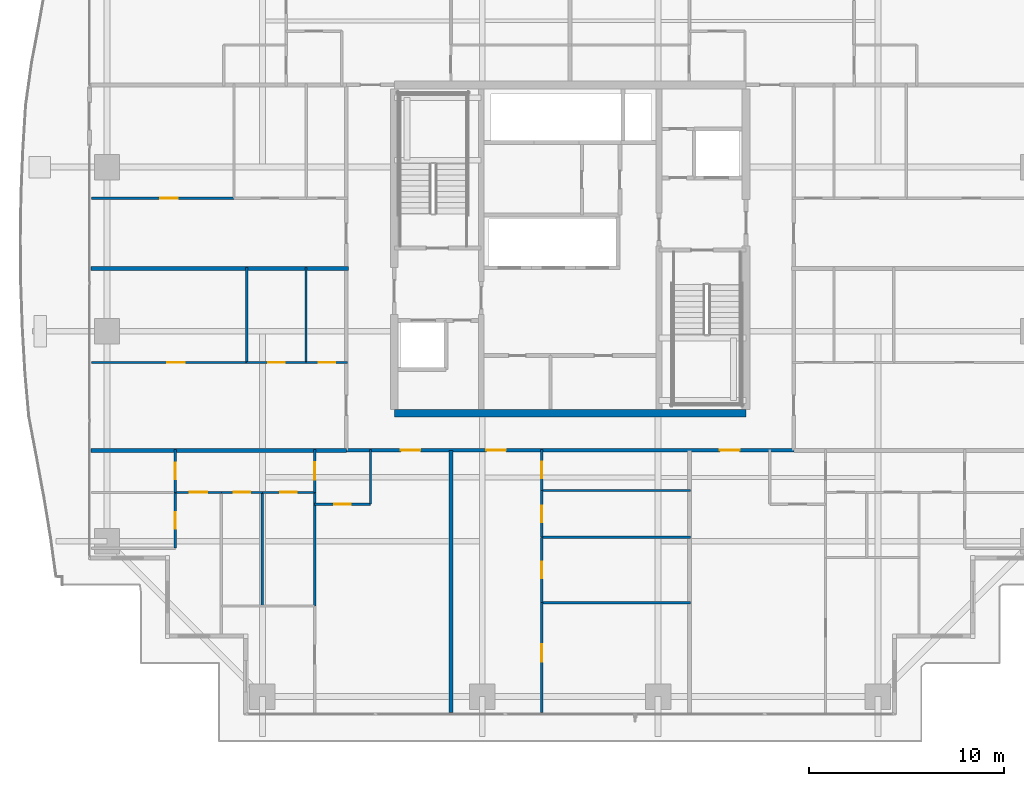
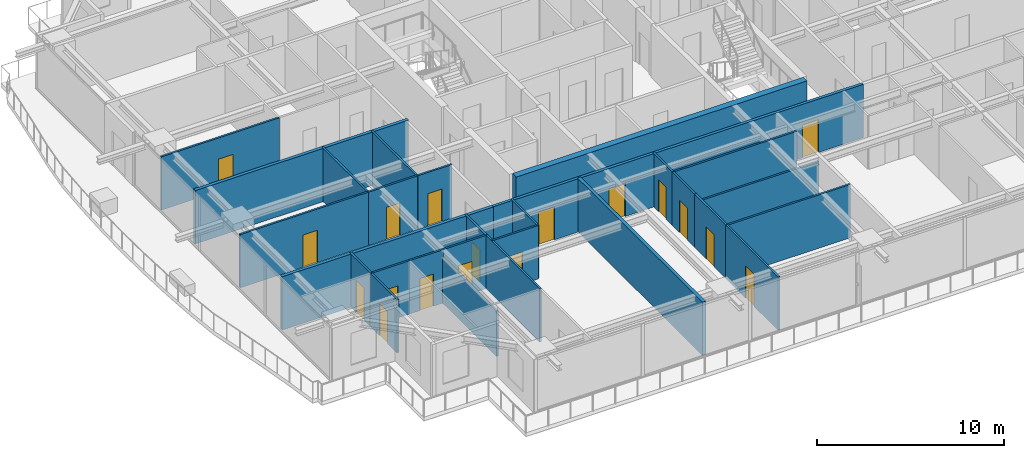
# One storey, part 26 of 39: 28 walls, 18 doors, 18 openings.
"""IFC4 building model written with IfcOpenShell, lengths in metres."""

from ifc_helpers import new_model, si_unit, direction, frame, frame_2d, origin, place, context, subcontext, project, spatial, rectangle, extrude, source, transform, mapped, material, layer, layer_set, type_object, element, fill, save


model = new_model("IFC4")

# Units and contexts
model_context = context("Model", 3, precision=1e-05, world=origin(), true_north=direction((0.0, 1.0)))
body_context = subcontext(model_context, "Body", "Model", "MODEL_VIEW")
ifc_project = project(units=[si_unit("LENGTHUNIT", "METRE"), si_unit("AREAUNIT", "SQUARE_METRE"), si_unit("VOLUMEUNIT", "CUBIC_METRE"), si_unit("PLANEANGLEUNIT", "RADIAN"), si_unit("MASSUNIT", "GRAM", prefix="KILO")], contexts=[model_context])

# Site, building, storey
site_placement = place(None, origin())
site = spatial("IfcSite", under=ifc_project, at=site_placement, CompositionType="ELEMENT")
building_placement = place(site_placement, origin())
building = spatial("IfcBuilding", under=site, at=building_placement, Name="Serunith Strait Residences", CompositionType="ELEMENT")
storey_placement = place(building_placement, frame((0.0, 0.0, 123.89990234375)))
storey = spatial("IfcBuildingStorey", under=building, at=storey_placement, Name="L30", CompositionType="ELEMENT", Elevation=123.89990234375)

# Wall, openings, doors
ifc_material_1 = material(Name="Fire-rated acoustic gypsum partition")
ifc_layer_1 = layer(ifc_material_1, 0.179931640625, Name="Fire-rated acoustic gypsum partition")
ifc_layer_set_1 = layer_set([ifc_layer_1], Name="Fire-rated acoustic gypsum partition")
wall_type_1 = type_object("IfcWallType", Name="IW-CORR-180", PredefinedType="PARTITIONING", material=ifc_layer_set_1)
wall_1_placement = place(storey_placement, frame((20.951904296875, 14.89990234375, 0.0), z_axis=(0.0, 0.0, 1.0), x_axis=(1.0, 0.0, 0.0)))
wall_1 = element("IfcWall", 1, at=wall_1_placement, inside=storey, type_object=wall_type_1, Name="L30 Partition Wall 027", PredefinedType="PARTITIONING", context=body_context, shape_type="SweptSolid", body=[
    extrude(rectangle(XDim=22.89599609375, YDim=0.179931640625, at=frame_2d((11.447998046875, 0.0))), origin(), (0.0, 0.0, 1.0), 3.489990234375),
])
opening_1_placement = place(wall_1_placement, frame((2.781005859375, 0.0, 0.0)))
opening_1 = element("IfcOpeningElement", 2, at=opening_1_placement, cuts=wall_1, Name="Opening D-APT1000", PredefinedType="OPENING", context=body_context, shape_type="SweptSolid", body=[
    extrude(rectangle(XDim=1.0, YDim=2.14990234375, at=frame_2d((0.5, 1.074951171875))), frame((0.0, 0.10009765625, 0.0), z_axis=(0.0, -1.0, 0.0), x_axis=(1.0, 0.0, 0.0)), (0.0, 0.0, 1.0), 0.199951171875),
])
opening_2_placement = place(wall_1_placement, frame((7.159912109375, 0.0, 0.0)))
opening_2 = element("IfcOpeningElement", 3, at=opening_2_placement, cuts=wall_1, Name="Opening D-APT1000", PredefinedType="OPENING", context=body_context, shape_type="SweptSolid", body=[
    extrude(rectangle(XDim=1.0, YDim=2.14990234375, at=frame_2d((0.5, 1.074951171875))), frame((0.0, 0.10009765625, 0.0), z_axis=(0.0, -1.0, 0.0), x_axis=(1.0, 0.0, 0.0)), (0.0, 0.0, 1.0), 0.199951171875),
])
opening_3_placement = place(wall_1_placement, frame((19.114990234375, 0.0, 0.0)))
opening_3 = element("IfcOpeningElement", 4, at=opening_3_placement, cuts=wall_1, Name="Opening D-APT1000", PredefinedType="OPENING", context=body_context, shape_type="SweptSolid", body=[
    extrude(rectangle(XDim=1.0, YDim=2.14990234375, at=frame_2d((0.5, 1.074951171875))), frame((0.0, 0.10009765625, 0.0), z_axis=(0.0, -1.0, 0.0), x_axis=(1.0, 0.0, 0.0)), (0.0, 0.0, 1.0), 0.199951171875),
])
ifc_material_2 = material(Name="Solid timber engineered fire door", Category="wood")
door_type_1 = type_object("IfcDoorType", Name="ID-APT-1000", OperationType="NOTDEFINED", PredefinedType="DOOR", material=ifc_material_2)
shared_shape_1 = source(origin(), body_context, "Body", "SweptSolid", [
    extrude(rectangle(XDim=1.0, YDim=2.14990234375, at=frame_2d((0.5, 1.074951171875))), frame((0.0, 0.02490234375, 0.0), z_axis=(0.0, -1.0, 0.0), x_axis=(1.0, 0.0, 0.0)), (0.0, 0.0, 1.0), 0.050048828125),
])
door_1_placement = place(opening_1_placement, origin())
door_1 = element("IfcDoor", 5, at=door_1_placement, inside=storey, type_object=door_type_1, Name="L30 Unit 01 Entrance Door", OperationType="SINGLE_SWING_RIGHT", OverallHeight=2.14990234375, OverallWidth=1.0, PredefinedType="DOOR", context=body_context, shape_type="MappedRepresentation", body=[
    mapped(shared_shape_1, transform((0.0, 0.0, 0.0), scale=1.0)),
])
fill(opening_1, door_1)
door_2_placement = place(opening_2_placement, origin())
door_2 = element("IfcDoor", 6, at=door_2_placement, inside=storey, type_object=door_type_1, Name="L30 Unit 02 Entrance Door", OperationType="SINGLE_SWING_LEFT", OverallHeight=2.14990234375, OverallWidth=1.0, PredefinedType="DOOR", context=body_context, shape_type="MappedRepresentation", body=[
    mapped(shared_shape_1, transform((0.0, 0.0, 0.0), scale=1.0)),
])
fill(opening_2, door_2)
door_3_placement = place(opening_3_placement, origin())
door_3 = element("IfcDoor", 7, at=door_3_placement, inside=storey, type_object=door_type_1, Name="L30 Unit 03 Entrance Door", OperationType="SINGLE_SWING_RIGHT", OverallHeight=2.14990234375, OverallWidth=1.0, PredefinedType="DOOR", context=body_context, shape_type="MappedRepresentation", body=[
    mapped(shared_shape_1, transform((0.0, 0.0, 0.0), scale=1.0)),
])
fill(opening_3, door_3)

# Wall, opening, door
ifc_material_3 = material(Name="Lightweight steel-stud gypsum partition", Category="steel")
ifc_layer_2 = layer(ifc_material_3, 0.1201171875, Name="Lightweight steel-stud gypsum partition")
ifc_layer_set_2 = layer_set([ifc_layer_2], Name="Lightweight steel-stud gypsum partition")
wall_type_2 = type_object("IfcWallType", Name="IW-PART-120", PredefinedType="PARTITIONING", material=ifc_layer_set_2)
wall_2_placement = place(storey_placement, frame((19.330078125, 12.14990234375, 0.0), z_axis=(0.0, 0.0, 1.0), x_axis=(1.0, 0.0, 0.0)))
wall_2 = element("IfcWall", 8, at=wall_2_placement, inside=storey, type_object=wall_type_2, Name="L30 Partition Wall 032", PredefinedType="PARTITIONING", context=body_context, shape_type="SweptSolid", body=[
    extrude(rectangle(XDim=2.849853515625, YDim=0.1201171875, at=frame_2d((1.4248046875, 0.0))), origin(), (0.0, 0.0, 1.0), 3.489990234375),
])
opening_4_placement = place(wall_2_placement, frame((1.0, 0.0, 0.0)))
opening_4 = element("IfcOpeningElement", 9, at=opening_4_placement, cuts=wall_2, Name="Opening D-RM850", PredefinedType="OPENING", context=body_context, shape_type="SweptSolid", body=[
    extrude(rectangle(XDim=0.85009765625, YDim=2.10009765625, at=frame_2d((0.425048828125, 1.050048828125))), frame((0.0, 0.070068359375, 0.0), z_axis=(0.0, -1.0, 0.0), x_axis=(1.0, 0.0, 0.0)), (0.0, 0.0, 1.0), 0.14013671875),
])
ifc_material_4 = material(Name="Engineered timber flush study and kitchen door", Category="wood")
door_type_2 = type_object("IfcDoorType", Name="ID-ROOM-850", OperationType="NOTDEFINED", PredefinedType="DOOR", material=ifc_material_4)
shared_shape_2 = source(origin(), body_context, "Body", "SweptSolid", [
    extrude(rectangle(XDim=0.85009765625, YDim=2.10009765625, at=frame_2d((0.425048828125, 1.050048828125))), frame((0.0, 0.02490234375, 0.0), z_axis=(0.0, -1.0, 0.0), x_axis=(1.0, 0.0, 0.0)), (0.0, 0.0, 1.0), 0.050048828125),
])
door_4_placement = place(opening_4_placement, origin())
door_4 = element("IfcDoor", 10, at=door_4_placement, inside=storey, type_object=door_type_2, Name="L30 Kitchen 3001 Door", OperationType="SINGLE_SWING_LEFT", OverallHeight=2.10009765625, OverallWidth=0.85009765625, PredefinedType="DOOR", context=body_context, shape_type="MappedRepresentation", body=[
    mapped(shared_shape_2, transform((0.0, 0.0, 0.0), scale=1.0)),
])
fill(opening_4, door_4)

# Wall
wall_3_placement = place(storey_placement, frame((22.179931640625, 12.14990234375, 0.0), z_axis=(0.0, 0.0, 1.0), x_axis=(0.0, 1.0, 0.0)))
element("IfcWall", 11, at=wall_3_placement, inside=storey, type_object=wall_type_2, Name="L30 Partition Wall 033", PredefinedType="PARTITIONING", context=body_context, shape_type="SweptSolid", body=[
    extrude(rectangle(XDim=2.81005859375, YDim=0.1201171875, at=frame_2d((1.405029296875, 0.0))), origin(), (0.0, 0.0, 1.0), 3.489990234375),
])

# Wall, opening, door
wall_4_placement = place(storey_placement, frame((19.330078125, 12.75, 0.0), z_axis=(0.0, 0.0, 1.0), x_axis=(0.0, 1.0, 0.0)))
wall_4 = element("IfcWall", 12, at=wall_4_placement, inside=storey, type_object=wall_type_2, Name="L30 Partition Wall 034", PredefinedType="PARTITIONING", context=body_context, shape_type="SweptSolid", body=[
    extrude(rectangle(XDim=2.2099609375, YDim=0.1201171875, at=frame_2d((1.10498046875, 0.0))), origin(), (0.0, 0.0, 1.0), 3.489990234375),
])
opening_5_placement = place(wall_4_placement, frame((0.655029296875, 0.0, 0.0)))
opening_5 = element("IfcOpeningElement", 13, at=opening_5_placement, cuts=wall_4, Name="Opening D-RM900", PredefinedType="OPENING", context=body_context, shape_type="SweptSolid", body=[
    extrude(rectangle(XDim=0.89990234375, YDim=2.10009765625, at=frame_2d((0.449951171875, 1.050048828125))), frame((0.0, 0.070068359375, 0.0), z_axis=(0.0, -1.0, 0.0), x_axis=(1.0, 0.0, 0.0)), (0.0, 0.0, 1.0), 0.14013671875),
])
ifc_material_5 = material(Name="Engineered timber flush bedroom door", Category="wood")
door_type_3 = type_object("IfcDoorType", Name="ID-ROOM-900", OperationType="NOTDEFINED", PredefinedType="DOOR", material=ifc_material_5)
shared_shape_3 = source(origin(), body_context, "Body", "SweptSolid", [
    extrude(rectangle(XDim=0.89990234375, YDim=2.10009765625, at=frame_2d((0.449951171875, 1.050048828125))), frame((0.0, 0.02490234375, 0.0), z_axis=(0.0, -1.0, 0.0), x_axis=(1.0, 0.0, 0.0)), (0.0, 0.0, 1.0), 0.050048828125),
])
door_5_placement = place(opening_5_placement, origin())
door_5 = element("IfcDoor", 14, at=door_5_placement, inside=storey, type_object=door_type_3, Name="L30 Hall W 3001 Door", OperationType="SINGLE_SWING_RIGHT", OverallHeight=2.10009765625, OverallWidth=0.89990234375, PredefinedType="DOOR", context=body_context, shape_type="MappedRepresentation", body=[
    mapped(shared_shape_3, transform((0.0, 0.0, 0.0), scale=1.0)),
])
fill(opening_5, door_5)

# Walls
wall_5_placement = place(storey_placement, frame((19.330078125, 6.93994140625, 0.0), z_axis=(0.0, 0.0, 1.0), x_axis=(0.0, 1.0, 0.0)))
element("IfcWall", 15, at=wall_5_placement, inside=storey, type_object=wall_type_2, Name="L30 Partition Wall 036", PredefinedType="PARTITIONING", context=body_context, shape_type="SweptSolid", body=[
    extrude(rectangle(XDim=5.80810546875, YDim=0.1201171875, at=frame_2d((2.904052734375, 0.0))), origin(), (0.0, 0.0, 1.0), 3.489990234375),
])
wall_6_placement = place(storey_placement, frame((16.64990234375, 6.93798828125, 0.0), z_axis=(0.0, 0.0, 1.0), x_axis=(0.0, 1.0, 0.0)))
element("IfcWall", 16, at=wall_6_placement, inside=storey, type_object=wall_type_2, Name="L30 Partition Wall 039", PredefinedType="PARTITIONING", context=body_context, shape_type="SweptSolid", body=[
    extrude(rectangle(XDim=5.81201171875, YDim=0.1201171875, at=frame_2d((2.906005859375, 0.0))), origin(), (0.0, 0.0, 1.0), 2.97216796875),
])

# Wall, opening, door
wall_7_placement = place(storey_placement, frame((14.550048828125, 12.75, 0.0), z_axis=(0.0, 0.0, 1.0), x_axis=(1.0, 0.0, 0.0)))
wall_7 = element("IfcWall", 17, at=wall_7_placement, inside=storey, type_object=wall_type_2, Name="L30 Partition Wall 040", PredefinedType="PARTITIONING", context=body_context, shape_type="SweptSolid", body=[
    extrude(rectangle(XDim=2.099853515625, YDim=0.1201171875, at=frame_2d((1.0498046875, 0.0))), origin(), (0.0, 0.0, 1.0), 3.489990234375),
])
opening_6_placement = place(wall_7_placement, frame((0.625, 0.0, 0.0)))
opening_6 = element("IfcOpeningElement", 18, at=opening_6_placement, cuts=wall_7, Name="Opening D-BTH850", PredefinedType="OPENING", context=body_context, shape_type="SweptSolid", body=[
    extrude(rectangle(XDim=0.85009765625, YDim=2.10009765625, at=frame_2d((0.425048828125, 1.050048828125))), frame((0.0, 0.070068359375, 0.0), z_axis=(0.0, -1.0, 0.0), x_axis=(1.0, 0.0, 0.0)), (0.0, 0.0, 1.0), 0.14013671875),
])
ifc_material_6 = material(Name="Moisture-resistant timber bathroom door", Category="wood")
door_type_4 = type_object("IfcDoorType", Name="ID-BATH-850", OperationType="NOTDEFINED", PredefinedType="DOOR", material=ifc_material_6)
door_6_placement = place(opening_6_placement, origin())
door_6 = element("IfcDoor", 19, at=door_6_placement, inside=storey, type_object=door_type_4, Name="L30 Bathroom 3001 Door", OperationType="SINGLE_SWING_RIGHT", OverallHeight=2.10009765625, OverallWidth=0.85009765625, PredefinedType="DOOR", context=body_context, shape_type="MappedRepresentation", body=[
    mapped(shared_shape_2, transform((0.0, 0.0, 0.0), scale=1.0)),
])
fill(opening_6, door_6)

wall_8_placement = place(storey_placement, frame((16.652099609375, 12.75, 0.0), z_axis=(0.0, 0.0, 1.0), x_axis=(1.0, 0.0, 0.0)))
wall_8 = element("IfcWall", 20, at=wall_8_placement, inside=storey, type_object=wall_type_2, Name="L30 Partition Wall 041", PredefinedType="PARTITIONING", context=body_context, shape_type="SweptSolid", body=[
    extrude(rectangle(XDim=2.677978515625, YDim=0.1201171875, at=frame_2d((1.3388671875, 0.0))), origin(), (0.0, 0.0, 1.0), 3.489990234375),
])
opening_7_placement = place(wall_8_placement, frame((0.9140625, 0.0, 0.0)))
opening_7 = element("IfcOpeningElement", 21, at=opening_7_placement, cuts=wall_8, Name="Opening D-RM850", PredefinedType="OPENING", context=body_context, shape_type="SweptSolid", body=[
    extrude(rectangle(XDim=0.85009765625, YDim=2.10009765625, at=frame_2d((0.425048828125, 1.050048828125))), frame((0.0, 0.070068359375, 0.0), z_axis=(0.0, -1.0, 0.0), x_axis=(1.0, 0.0, 0.0)), (0.0, 0.0, 1.0), 0.14013671875),
])
door_7_placement = place(opening_7_placement, origin())
door_7 = element("IfcDoor", 22, at=door_7_placement, inside=storey, type_object=door_type_2, Name="L30 Study 3001 Door", OperationType="SINGLE_SWING_LEFT", OverallHeight=2.10009765625, OverallWidth=0.85009765625, PredefinedType="DOOR", context=body_context, shape_type="MappedRepresentation", body=[
    mapped(shared_shape_2, transform((0.0, 0.0, 0.0), scale=1.0)),
])
fill(opening_7, door_7)

wall_9_placement = place(storey_placement, frame((12.199951171875, 12.75, 0.0), z_axis=(0.0, 0.0, 1.0), x_axis=(1.0, 0.0, 0.0)))
wall_9 = element("IfcWall", 23, at=wall_9_placement, inside=storey, type_object=wall_type_2, Name="L30 Partition Wall 042", PredefinedType="PARTITIONING", context=body_context, shape_type="SweptSolid", body=[
    extrude(rectangle(XDim=2.34814453125, YDim=0.1201171875, at=frame_2d((1.174072265625, 0.0))), origin(), (0.0, 0.0, 1.0), 3.489990234375),
])
opening_8_placement = place(wall_9_placement, frame((0.72412109375, 0.0, 0.0)))
opening_8 = element("IfcOpeningElement", 24, at=opening_8_placement, cuts=wall_9, Name="Opening D-RM900", PredefinedType="OPENING", context=body_context, shape_type="SweptSolid", body=[
    extrude(rectangle(XDim=0.89990234375, YDim=2.10009765625, at=frame_2d((0.449951171875, 1.050048828125))), frame((0.0, 0.070068359375, 0.0), z_axis=(0.0, -1.0, 0.0), x_axis=(1.0, 0.0, 0.0)), (0.0, 0.0, 1.0), 0.14013671875),
])
door_8_placement = place(opening_8_placement, origin())
door_8 = element("IfcDoor", 25, at=door_8_placement, inside=storey, type_object=door_type_3, Name="L30 Master Bedroom W 3001 Door", OperationType="SINGLE_SWING_RIGHT", OverallHeight=2.10009765625, OverallWidth=0.89990234375, PredefinedType="DOOR", context=body_context, shape_type="MappedRepresentation", body=[
    mapped(shared_shape_3, transform((0.0, 0.0, 0.0), scale=1.0)),
])
fill(opening_8, door_8)

wall_10_placement = place(storey_placement, frame((12.199951171875, 9.89501953125, 0.0), z_axis=(0.0, 0.0, 1.0), x_axis=(0.0, 1.0, 0.0)))
wall_10 = element("IfcWall", 26, at=wall_10_placement, inside=storey, type_object=wall_type_2, Name="L30 Partition Wall 045", PredefinedType="PARTITIONING", context=body_context, shape_type="SweptSolid", body=[
    extrude(rectangle(XDim=2.85498046875, YDim=0.1201171875, at=frame_2d((1.427490234375, 0.0))), origin(), (0.0, 0.0, 1.0), 3.489990234375),
])
opening_9_placement = place(wall_10_placement, frame((1.0029296875, 0.0, 0.0)))
opening_9 = element("IfcOpeningElement", 27, at=opening_9_placement, cuts=wall_10, Name="Opening D-BTH850", PredefinedType="OPENING", context=body_context, shape_type="SweptSolid", body=[
    extrude(rectangle(XDim=0.85009765625, YDim=2.10009765625, at=frame_2d((0.425048828125, 1.050048828125))), frame((0.0, 0.070068359375, 0.0), z_axis=(0.0, -1.0, 0.0), x_axis=(1.0, 0.0, 0.0)), (0.0, 0.0, 1.0), 0.14013671875),
])
door_9_placement = place(opening_9_placement, origin())
door_9 = element("IfcDoor", 28, at=door_9_placement, inside=storey, type_object=door_type_4, Name="L30 En-suite Bathroom W 3001 Door", OperationType="SINGLE_SWING_LEFT", OverallHeight=2.10009765625, OverallWidth=0.85009765625, PredefinedType="DOOR", context=body_context, shape_type="MappedRepresentation", body=[
    mapped(shared_shape_2, transform((0.0, 0.0, 0.0), scale=1.0)),
])
fill(opening_9, door_9)

wall_11_placement = place(storey_placement, frame((12.199951171875, 12.751953125, 0.0), z_axis=(0.0, 0.0, 1.0), x_axis=(0.0, 1.0, 0.0)))
wall_11 = element("IfcWall", 29, at=wall_11_placement, inside=storey, type_object=wall_type_2, Name="L30 Partition Wall 046", PredefinedType="PARTITIONING", context=body_context, shape_type="SweptSolid", body=[
    extrude(rectangle(XDim=2.2080078125, YDim=0.1201171875, at=frame_2d((1.10400390625, 0.0))), origin(), (0.0, 0.0, 1.0), 3.489990234375),
])
opening_10_placement = place(wall_11_placement, frame((0.678955078125, 0.0, 0.0)))
opening_10 = element("IfcOpeningElement", 30, at=opening_10_placement, cuts=wall_11, Name="Opening D-RM850", PredefinedType="OPENING", context=body_context, shape_type="SweptSolid", body=[
    extrude(rectangle(XDim=0.85009765625, YDim=2.10009765625, at=frame_2d((0.425048828125, 1.050048828125))), frame((0.0, 0.070068359375, 0.0), z_axis=(0.0, -1.0, 0.0), x_axis=(1.0, 0.0, 0.0)), (0.0, 0.0, 1.0), 0.14013671875),
])
door_10_placement = place(opening_10_placement, origin())
door_10 = element("IfcDoor", 31, at=door_10_placement, inside=storey, type_object=door_type_2, Name="L30 Wardrobe W 3001 Door", OperationType="SINGLE_SWING_RIGHT", OverallHeight=2.10009765625, OverallWidth=0.85009765625, PredefinedType="DOOR", context=body_context, shape_type="MappedRepresentation", body=[
    mapped(shared_shape_2, transform((0.0, 0.0, 0.0), scale=1.0)),
])
fill(opening_10, door_10)

wall_12_placement = place(storey_placement, frame((30.93994140625, 1.4951171875, 0.0), z_axis=(0.0, 0.0, 1.0), x_axis=(0.0, 1.0, 0.0)))
wall_12 = element("IfcWall", 32, at=wall_12_placement, inside=storey, type_object=wall_type_2, Name="L30 Partition Wall 047", PredefinedType="PARTITIONING", context=body_context, shape_type="SweptSolid", body=[
    extrude(rectangle(XDim=5.617919921875, YDim=0.1201171875, at=frame_2d((2.80908203125, 0.0))), origin(), (0.0, 0.0, 1.0), 3.489990234375),
])
opening_11_placement = place(wall_12_placement, frame((2.594970703125, 0.0, 0.0)))
opening_11 = element("IfcOpeningElement", 33, at=opening_11_placement, cuts=wall_12, Name="Opening D-RM900", PredefinedType="OPENING", context=body_context, shape_type="SweptSolid", body=[
    extrude(rectangle(XDim=0.89990234375, YDim=2.10009765625, at=frame_2d((0.449951171875, 1.050048828125))), frame((0.0, 0.070068359375, 0.0), z_axis=(0.0, -1.0, 0.0), x_axis=(1.0, 0.0, 0.0)), (0.0, 0.0, 1.0), 0.14013671875),
])
door_11_placement = place(opening_11_placement, origin())
door_11 = element("IfcDoor", 34, at=door_11_placement, inside=storey, type_object=door_type_3, Name="L30 Master Bedroom 1 3002 Door", OperationType="SINGLE_SWING_LEFT", OverallHeight=2.10009765625, OverallWidth=0.89990234375, PredefinedType="DOOR", context=body_context, shape_type="MappedRepresentation", body=[
    mapped(shared_shape_3, transform((0.0, 0.0, 0.0), scale=1.0)),
])
fill(opening_11, door_11)

# Walls
wall_13_placement = place(storey_placement, frame((30.93994140625, 7.113037109375, 0.0), z_axis=(0.0, 0.0, 1.0), x_axis=(1.0, 0.0, 0.0)))
element("IfcWall", 35, at=wall_13_placement, inside=storey, type_object=wall_type_2, Name="L30 Partition Wall 048", PredefinedType="PARTITIONING", context=body_context, shape_type="SweptSolid", body=[
    extrude(rectangle(XDim=7.6201171875, YDim=0.1201171875, at=frame_2d((3.81005859375, 0.0))), origin(), (0.0, 0.0, 1.0), 3.489990234375),
])
wall_14_placement = place(storey_placement, frame((30.93994140625, 10.4560546875, 0.0), z_axis=(0.0, 0.0, 1.0), x_axis=(1.0, 0.0, 0.0)))
element("IfcWall", 36, at=wall_14_placement, inside=storey, type_object=wall_type_2, Name="L30 Partition Wall 049", PredefinedType="PARTITIONING", context=body_context, shape_type="SweptSolid", body=[
    extrude(rectangle(XDim=7.6201171875, YDim=0.1201171875, at=frame_2d((3.81005859375, 0.0))), origin(), (0.0, 0.0, 1.0), 2.97216796875),
])
wall_15_placement = place(storey_placement, frame((30.93994140625, 12.85009765625, 0.0), z_axis=(0.0, 0.0, 1.0), x_axis=(1.0, 0.0, 0.0)))
element("IfcWall", 37, at=wall_15_placement, inside=storey, type_object=wall_type_2, Name="L30 Partition Wall 050", PredefinedType="PARTITIONING", context=body_context, shape_type="SweptSolid", body=[
    extrude(rectangle(XDim=7.6201171875, YDim=0.1201171875, at=frame_2d((3.81005859375, 0.0))), origin(), (0.0, 0.0, 1.0), 3.489990234375),
])

# Wall, opening, door
wall_16_placement = place(storey_placement, frame((30.93994140625, 7.114990234375, 0.0), z_axis=(0.0, 0.0, 1.0), x_axis=(0.0, 1.0, 0.0)))
wall_16 = element("IfcWall", 38, at=wall_16_placement, inside=storey, type_object=wall_type_2, Name="L30 Partition Wall 051", PredefinedType="PARTITIONING", context=body_context, shape_type="SweptSolid", body=[
    extrude(rectangle(XDim=3.341064453125, YDim=0.1201171875, at=frame_2d((1.67041015625, 0.0))), origin(), (0.0, 0.0, 1.0), 3.489990234375),
])
opening_12_placement = place(wall_16_placement, frame((1.2451171875, 0.0, 0.0)))
opening_12 = element("IfcOpeningElement", 39, at=opening_12_placement, cuts=wall_16, Name="Opening D-RM850", PredefinedType="OPENING", context=body_context, shape_type="SweptSolid", body=[
    extrude(rectangle(XDim=0.85009765625, YDim=2.10009765625, at=frame_2d((0.425048828125, 1.050048828125))), frame((0.0, 0.070068359375, 0.0), z_axis=(0.0, -1.0, 0.0), x_axis=(1.0, 0.0, 0.0)), (0.0, 0.0, 1.0), 0.14013671875),
])
door_12_placement = place(opening_12_placement, origin())
door_12 = element("IfcDoor", 40, at=door_12_placement, inside=storey, type_object=door_type_2, Name="L30 Dining 3002 Door", OperationType="SINGLE_SWING_RIGHT", OverallHeight=2.10009765625, OverallWidth=0.85009765625, PredefinedType="DOOR", context=body_context, shape_type="MappedRepresentation", body=[
    mapped(shared_shape_2, transform((0.0, 0.0, 0.0), scale=1.0)),
])
fill(opening_12, door_12)

wall_17_placement = place(storey_placement, frame((30.93994140625, 10.4580078125, 0.0), z_axis=(0.0, 0.0, 1.0), x_axis=(0.0, 1.0, 0.0)))
wall_17 = element("IfcWall", 41, at=wall_17_placement, inside=storey, type_object=wall_type_2, Name="L30 Partition Wall 052", PredefinedType="PARTITIONING", context=body_context, shape_type="SweptSolid", body=[
    extrude(rectangle(XDim=2.39208984375, YDim=0.1201171875, at=frame_2d((1.196044921875, 0.0))), origin(), (0.0, 0.0, 1.0), 3.489990234375),
])
opening_13_placement = place(wall_17_placement, frame((0.77099609375, 0.0, 0.0)))
opening_13 = element("IfcOpeningElement", 42, at=opening_13_placement, cuts=wall_17, Name="Opening D-RM850", PredefinedType="OPENING", context=body_context, shape_type="SweptSolid", body=[
    extrude(rectangle(XDim=0.85009765625, YDim=2.10009765625, at=frame_2d((0.425048828125, 1.050048828125))), frame((0.0, 0.070068359375, 0.0), z_axis=(0.0, -1.0, 0.0), x_axis=(1.0, 0.0, 0.0)), (0.0, 0.0, 1.0), 0.14013671875),
])
door_13_placement = place(opening_13_placement, origin())
door_13 = element("IfcDoor", 43, at=door_13_placement, inside=storey, type_object=door_type_2, Name="L30 Kitchen 3002 Door", OperationType="SINGLE_SWING_LEFT", OverallHeight=2.10009765625, OverallWidth=0.85009765625, PredefinedType="DOOR", context=body_context, shape_type="MappedRepresentation", body=[
    mapped(shared_shape_2, transform((0.0, 0.0, 0.0), scale=1.0)),
])
fill(opening_13, door_13)

wall_18_placement = place(storey_placement, frame((30.93994140625, 12.85205078125, 0.0), z_axis=(0.0, 0.0, 1.0), x_axis=(0.0, 1.0, 0.0)))
wall_18 = element("IfcWall", 44, at=wall_18_placement, inside=storey, type_object=wall_type_2, Name="L30 Partition Wall 053", PredefinedType="PARTITIONING", context=body_context, shape_type="SweptSolid", body=[
    extrude(rectangle(XDim=2.10791015625, YDim=0.1201171875, at=frame_2d((1.053955078125, 0.0))), origin(), (0.0, 0.0, 1.0), 3.489990234375),
])
opening_14_placement = place(wall_18_placement, frame((0.62890625, 0.0, 0.0)))
opening_14 = element("IfcOpeningElement", 45, at=opening_14_placement, cuts=wall_18, Name="Opening D-BTH850", PredefinedType="OPENING", context=body_context, shape_type="SweptSolid", body=[
    extrude(rectangle(XDim=0.85009765625, YDim=2.10009765625, at=frame_2d((0.425048828125, 1.050048828125))), frame((0.0, 0.070068359375, 0.0), z_axis=(0.0, -1.0, 0.0), x_axis=(1.0, 0.0, 0.0)), (0.0, 0.0, 1.0), 0.14013671875),
])
door_14_placement = place(opening_14_placement, origin())
door_14 = element("IfcDoor", 46, at=door_14_placement, inside=storey, type_object=door_type_4, Name="L30 Bathroom 3002 Door", OperationType="SINGLE_SWING_RIGHT", OverallHeight=2.10009765625, OverallWidth=0.85009765625, PredefinedType="DOOR", context=body_context, shape_type="MappedRepresentation", body=[
    mapped(shared_shape_2, transform((0.0, 0.0, 0.0), scale=1.0)),
])
fill(opening_14, door_14)

wall_19_placement = place(storey_placement, frame((7.89501953125, 19.39990234375, 0.0), z_axis=(0.0, 0.0, 1.0), x_axis=(1.0, 0.0, 0.0)))
wall_19 = element("IfcWall", 47, at=wall_19_placement, inside=storey, type_object=wall_type_2, Name="L30 Partition Wall 095", PredefinedType="PARTITIONING", context=body_context, shape_type="SweptSolid", body=[
    extrude(rectangle(XDim=7.950927734375, YDim=0.1201171875, at=frame_2d((3.9755859375, 0.0))), origin(), (0.0, 0.0, 1.0), 3.489990234375),
])
opening_15_placement = place(wall_19_placement, frame((3.8779296875, 0.0, 0.0)))
opening_15 = element("IfcOpeningElement", 48, at=opening_15_placement, cuts=wall_19, Name="Opening D-RM900", PredefinedType="OPENING", context=body_context, shape_type="SweptSolid", body=[
    extrude(rectangle(XDim=0.89990234375, YDim=2.10009765625, at=frame_2d((0.449951171875, 1.050048828125))), frame((0.0, 0.070068359375, 0.0), z_axis=(0.0, -1.0, 0.0), x_axis=(1.0, 0.0, 0.0)), (0.0, 0.0, 1.0), 0.14013671875),
])
door_15_placement = place(opening_15_placement, origin())
door_15 = element("IfcDoor", 49, at=door_15_placement, inside=storey, type_object=door_type_3, Name="L30 Master Bedroom 1 3006 Door", OperationType="SINGLE_SWING_LEFT", OverallHeight=2.10009765625, OverallWidth=0.89990234375, PredefinedType="DOOR", context=body_context, shape_type="MappedRepresentation", body=[
    mapped(shared_shape_3, transform((0.0, 0.0, 0.0), scale=1.0)),
])
fill(opening_15, door_15)

# Walls
for number, where, z_axis, x_axis, name in (
    (50, (15.845947265625, 19.39990234375, 0.0), (0.0, 0.0, 1.0), (0.0, 1.0, 0.0), "L30 Partition Wall 096"),
    (51, (18.886962890625, 19.39990234375, 0.0), (0.0, 0.0, 1.0), (0.0, 1.0, 0.0), "L30 Partition Wall 097"),
):
    element("IfcWall", number, at=place(storey_placement, frame(where, z_axis=z_axis, x_axis=x_axis)), inside=storey, type_object=wall_type_2, Name=name, PredefinedType="PARTITIONING", context=body_context, shape_type="SweptSolid", body=[
        extrude(rectangle(XDim=4.860107421875, YDim=0.1201171875, at=frame_2d((2.43017578125, 0.0))), origin(), (0.0, 0.0, 1.0), 3.489990234375),
    ])

# Wall, opening, door
wall_20_placement = place(storey_placement, frame((15.847900390625, 19.39990234375, 0.0), z_axis=(0.0, 0.0, 1.0), x_axis=(1.0, 0.0, 0.0)))
wall_20 = element("IfcWall", 52, at=wall_20_placement, inside=storey, type_object=wall_type_2, Name="L30 Partition Wall 098", PredefinedType="PARTITIONING", context=body_context, shape_type="SweptSolid", body=[
    extrude(rectangle(XDim=3.0390625, YDim=0.1201171875, at=frame_2d((1.51953125, 0.0))), origin(), (0.0, 0.0, 1.0), 3.489990234375),
])
opening_16_placement = place(wall_20_placement, frame((1.093994140625, 0.0, 0.0)))
opening_16 = element("IfcOpeningElement", 53, at=opening_16_placement, cuts=wall_20, Name="Opening D-RM850", PredefinedType="OPENING", context=body_context, shape_type="SweptSolid", body=[
    extrude(rectangle(XDim=0.85009765625, YDim=2.10009765625, at=frame_2d((0.425048828125, 1.050048828125))), frame((0.0, 0.070068359375, 0.0), z_axis=(0.0, -1.0, 0.0), x_axis=(1.0, 0.0, 0.0)), (0.0, 0.0, 1.0), 0.14013671875),
])
door_16_placement = place(opening_16_placement, origin())
door_16 = element("IfcDoor", 54, at=door_16_placement, inside=storey, type_object=door_type_2, Name="L30 Kitchen 3006 Door", OperationType="SINGLE_SWING_RIGHT", OverallHeight=2.10009765625, OverallWidth=0.85009765625, PredefinedType="DOOR", context=body_context, shape_type="MappedRepresentation", body=[
    mapped(shared_shape_2, transform((0.0, 0.0, 0.0), scale=1.0)),
])
fill(opening_16, door_16)

wall_21_placement = place(storey_placement, frame((18.888916015625, 19.39990234375, 0.0), z_axis=(0.0, 0.0, 1.0), x_axis=(1.0, 0.0, 0.0)))
wall_21 = element("IfcWall", 55, at=wall_21_placement, inside=storey, type_object=wall_type_2, Name="L30 Partition Wall 099", PredefinedType="PARTITIONING", context=body_context, shape_type="SweptSolid", body=[
    extrude(rectangle(XDim=2.12109375, YDim=0.1201171875, at=frame_2d((1.060546875, 0.0))), origin(), (0.0, 0.0, 1.0), 3.489990234375),
])
opening_17_placement = place(wall_21_placement, frame((0.635986328125, 0.0, 0.0)))
opening_17 = element("IfcOpeningElement", 56, at=opening_17_placement, cuts=wall_21, Name="Opening D-BTH850", PredefinedType="OPENING", context=body_context, shape_type="SweptSolid", body=[
    extrude(rectangle(XDim=0.85009765625, YDim=2.10009765625, at=frame_2d((0.425048828125, 1.050048828125))), frame((0.0, 0.070068359375, 0.0), z_axis=(0.0, -1.0, 0.0), x_axis=(1.0, 0.0, 0.0)), (0.0, 0.0, 1.0), 0.14013671875),
])
door_17_placement = place(opening_17_placement, origin())
door_17 = element("IfcDoor", 57, at=door_17_placement, inside=storey, type_object=door_type_4, Name="L30 Bathroom 3006 Door", OperationType="SINGLE_SWING_LEFT", OverallHeight=2.10009765625, OverallWidth=0.85009765625, PredefinedType="DOOR", context=body_context, shape_type="MappedRepresentation", body=[
    mapped(shared_shape_2, transform((0.0, 0.0, 0.0), scale=1.0)),
])
fill(opening_17, door_17)

wall_22_placement = place(storey_placement, frame((7.89501953125, 27.800048828125, 0.0), z_axis=(0.0, 0.0, 1.0), x_axis=(1.0, 0.0, 0.0)))
wall_22 = element("IfcWall", 58, at=wall_22_placement, inside=storey, type_object=wall_type_2, Name="L30 Partition Wall 100", PredefinedType="PARTITIONING", context=body_context, shape_type="SweptSolid", body=[
    extrude(rectangle(XDim=7.302978515625, YDim=0.1201171875, at=frame_2d((3.6513671875, 0.0))), origin(), (0.0, 0.0, 1.0), 3.489990234375),
])
opening_18_placement = place(wall_22_placement, frame((3.52197265625, 0.0, 0.0)))
opening_18 = element("IfcOpeningElement", 59, at=opening_18_placement, cuts=wall_22, Name="Opening D-RM900", PredefinedType="OPENING", context=body_context, shape_type="SweptSolid", body=[
    extrude(rectangle(XDim=0.89990234375, YDim=2.10009765625, at=frame_2d((0.449951171875, 1.050048828125))), frame((0.0, 0.070068359375, 0.0), z_axis=(0.0, -1.0, 0.0), x_axis=(1.0, 0.0, 0.0)), (0.0, 0.0, 1.0), 0.14013671875),
])
door_18_placement = place(opening_18_placement, origin())
door_18 = element("IfcDoor", 60, at=door_18_placement, inside=storey, type_object=door_type_3, Name="L30 Master Bedroom 1 3007 Door", OperationType="SINGLE_SWING_RIGHT", OverallHeight=2.10009765625, OverallWidth=0.89990234375, PredefinedType="DOOR", context=body_context, shape_type="MappedRepresentation", body=[
    mapped(shared_shape_3, transform((0.0, 0.0, 0.0), scale=1.0)),
])
fill(opening_18, door_18)

# Walls
ifc_material_7 = material(Name="Twin-stud acoustic gypsum board partition")
ifc_layer_3 = layer(ifc_material_7, 0.199951171875, Name="Twin-stud acoustic gypsum board partition")
ifc_layer_set_3 = layer_set([ifc_layer_3], Name="Twin-stud acoustic gypsum board partition")
wall_type_3 = type_object("IfcWallType", Name="IW-PARTY-200", PredefinedType="PARTITIONING", material=ifc_layer_set_3)
wall_23_placement = place(storey_placement, frame((26.300048828125, 1.48193359375, 0.0), z_axis=(0.0, 0.0, 1.0), x_axis=(0.0, 1.0, 0.0)))
element("IfcWall", 61, at=wall_23_placement, inside=storey, type_object=wall_type_3, Name="L30 Partition Wall 018", PredefinedType="PARTITIONING", context=body_context, shape_type="SweptSolid", body=[
    extrude(rectangle(XDim=13.41796875, YDim=0.199951171875, at=frame_2d((6.708984375, 0.0))), origin(), (0.0, 0.0, 1.0), 3.489990234375),
])
wall_24_placement = place(storey_placement, frame((7.882080078125, 24.199951171875, 0.0), z_axis=(0.0, 0.0, 1.0), x_axis=(1.0, 0.0, 0.0)))
element("IfcWall", 62, at=wall_24_placement, inside=storey, type_object=wall_type_3, Name="L30 Partition Wall 021", PredefinedType="PARTITIONING", context=body_context, shape_type="SweptSolid", body=[
    extrude(rectangle(XDim=13.18798828125, YDim=0.199951171875, at=frame_2d((6.593994140625, 0.0))), origin(), (0.0, 0.0, 1.0), 3.489990234375),
])
wall_25_placement = place(storey_placement, frame((7.882080078125, 14.89990234375, 0.0), z_axis=(0.0, 0.0, 1.0), x_axis=(1.0, 0.0, 0.0)))
element("IfcWall", 63, at=wall_25_placement, inside=storey, type_object=wall_type_3, Name="L30 Partition Wall 023", PredefinedType="PARTITIONING", context=body_context, shape_type="SweptSolid", body=[
    extrude(rectangle(XDim=13.06787109375, YDim=0.199951171875, at=frame_2d((6.533935546875, 0.0))), origin(), (0.0, 0.0, 1.0), 3.489990234375),
])
ifc_material_8 = material(Name="Concrete C70/85", Category="concrete")
ifc_layer_4 = layer(ifc_material_8, 0.39990234375, Name="Concrete C70/85")
ifc_layer_set_4 = layer_set([ifc_layer_4], Name="Concrete C70/85")
wall_type_4 = type_object("IfcWallType", Name="SW-400-C70", PredefinedType="SHEAR", material=ifc_layer_set_4)
wall_26_placement = place(storey_placement, frame((23.39990234375, 16.800048828125, -0.260009765625), z_axis=(0.0, 0.0, 1.0), x_axis=(1.0, 0.0, 0.0)))
element("IfcWall", 64, at=wall_26_placement, inside=storey, type_object=wall_type_4, Name="L30 Core South Shear Wall", PredefinedType="SHEAR", context=body_context, shape_type="SweptSolid", body=[
    extrude(rectangle(XDim=18.0, YDim=0.39990234375, at=frame_2d((9.0, 0.0))), origin(), (0.0, 0.0, 1.0), 3.748046875),
])

save(model, "model.ifc")
